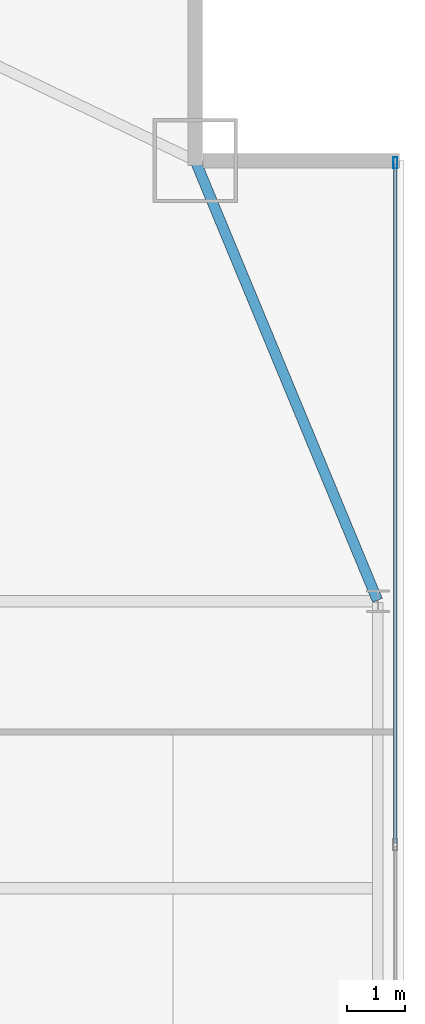
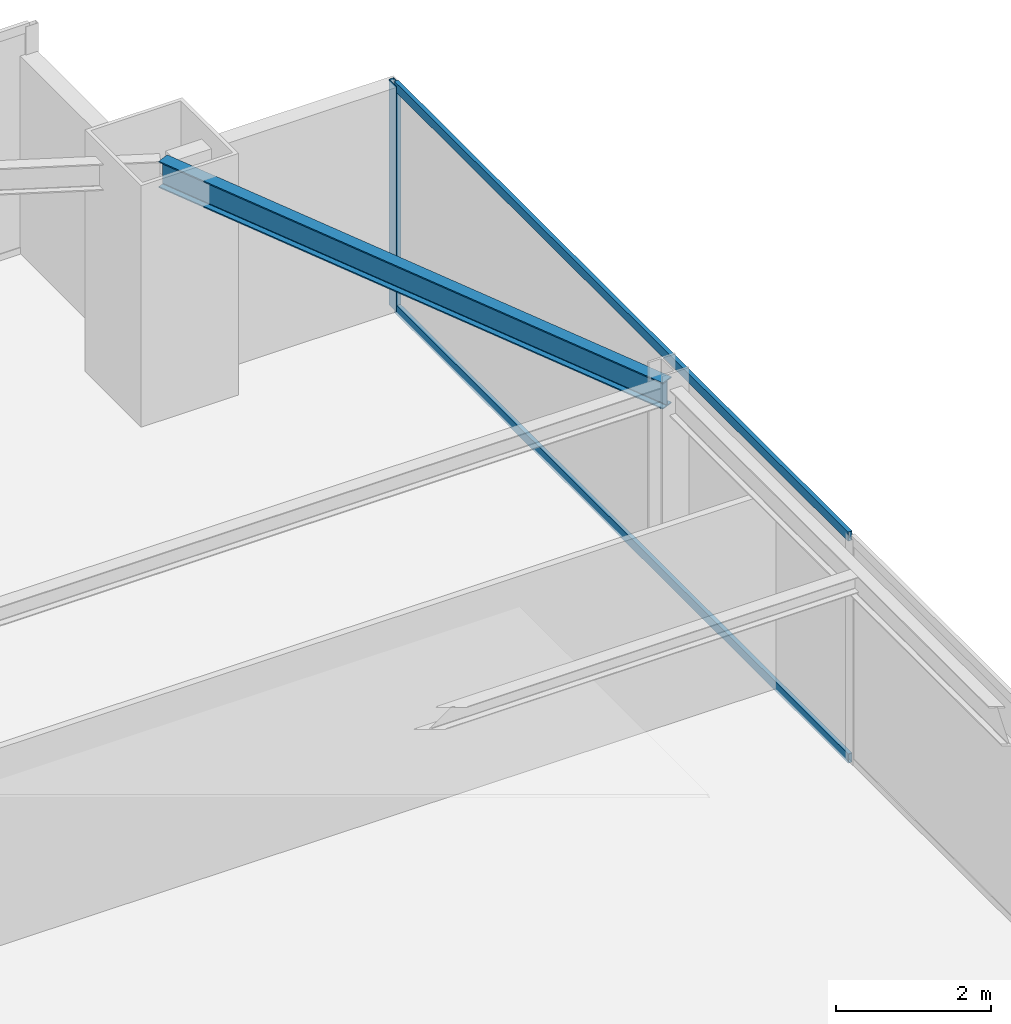
# One storey, part 24 of 30: 3 members, 1 beam, 1 element without a shape of its own.
"""IFC4 building model written with IfcOpenShell, lengths in metres."""

from ifc_helpers import new_model, si_unit, direction, frame, origin, origin_2d, place, context, subcontext, project, spatial, hollow_rectangle, i_section, extrude, source, transform, mapped, material, layer, layer_set, material_profile, profile_set, type_object, type_shapes, element, aggregate, save


model = new_model("IFC4")

# Units and contexts
model_context = context("Model", 3, precision=1e-05, world=origin(), true_north=direction((0.0, 1.0)))
body_context = subcontext(model_context, "Body", "Model", "MODEL_VIEW")
ifc_project = project(units=[si_unit("LENGTHUNIT", "METRE"), si_unit("AREAUNIT", "SQUARE_METRE"), si_unit("VOLUMEUNIT", "CUBIC_METRE"), si_unit("PLANEANGLEUNIT", "RADIAN"), si_unit("MASSUNIT", "GRAM", prefix="KILO")], contexts=[model_context])

# Site, building, storey
site_placement = place(None, origin())
site = spatial("IfcSite", under=ifc_project, at=site_placement, CompositionType="ELEMENT")
building_placement = place(site_placement, origin())
building = spatial("IfcBuilding", under=site, at=building_placement, Name="Varnel Quay Broadcast Tower", CompositionType="ELEMENT")
storey_placement = place(building_placement, frame((0.0, 0.0, 122.0)))
storey = spatial("IfcBuildingStorey", under=building, at=storey_placement, Name="L29", CompositionType="ELEMENT", Elevation=122.0)

# Beam
ifc_material_1 = material(Name="Structural Steel CSA G40.21 350W", Category="steel")
ifc_material_profile_1 = material_profile(ifc_material_1, i_section(OverallWidth=0.180908203125, OverallDepth=0.4169921875, WebThickness=0.010986328125, FlangeThickness=0.018310546875, FilletRadius=0.011962890625, at=origin_2d()), Name="W410X85")
ifc_profile_set_1 = profile_set([ifc_material_profile_1], Name="Structural Steel CSA G40.21 350W")
beam_type = type_object("IfcBeamType", Name="Beam_W410X85", PredefinedType="SPANDREL", material=ifc_profile_set_1)
shared_shape_1 = source(origin(), body_context, "Body", "SweptSolid", [
    extrude(i_section(OverallWidth=0.180908203125, OverallDepth=0.4169921875, WebThickness=0.010986328125, FlangeThickness=0.018310546875, FilletRadius=0.011962890625, at=origin_2d()), origin(), (0.0, 0.0, 1.0), 8.186767578125),
])
type_shapes(beam_type, [shared_shape_1])
beam_placement = place(storey_placement, frame((63.042236328125, 35.618408203125, 3.341552734375), z_axis=(-0.382874132092, 0.923800519038, 0.0), x_axis=(-0.923800519038, -0.382874132092, 0.0)))
element("IfcBeam", 1, at=beam_placement, inside=storey, type_object=beam_type, Name="L29 East Spandrel TC-E3-MC-NE", PredefinedType="SPANDREL", context=body_context, shape_type="MappedRepresentation", body=[
    mapped(shared_shape_1, transform((0.0, 0.0, 0.0), x_axis=(1.0, 0.0, 0.0), y_axis=(0.0, 1.0, 0.0), z_axis=(0.0, 0.0, 1.0), scale=1.0)),
])

# Curtain wall, members
ifc_material_2 = material(Name="Anodised Bronze Aluminium 6063-T6", Category="aluminium")
ifc_layer = layer(ifc_material_2, 0.18994140625, Name="Anodised Bronze Aluminium 6063-T6")
ifc_layer_set = layer_set([ifc_layer], Name="Anodised Bronze Aluminium 6063-T6")
curtain_wall_type = type_object("IfcCurtainWallType", Name="CW_LowerTower", PredefinedType="NOTDEFINED", material=ifc_layer_set)
curtain_wall_placement = place(storey_placement, origin())
curtain_wall = element("IfcCurtainWall", 2, at=curtain_wall_placement, inside=storey, type_object=curtain_wall_type, Name="L29 East Unitised Curtain Wall", PredefinedType="NOTDEFINED")
ifc_material_profile_2 = material_profile(ifc_material_2, hollow_rectangle(XDim=0.070068359375, YDim=0.18994140625, WallThickness=0.00390625, at=origin_2d()), Name="ALU70X190X4")
ifc_profile_set_2 = profile_set([ifc_material_profile_2], Name="Anodised Bronze Aluminium 6063-T6")
member_type_1 = type_object("IfcMemberType", Name="Mull_CWS-02", PredefinedType="MULLION", material=ifc_profile_set_2)
shared_shape_2 = source(origin(), body_context, "Body", "SweptSolid", [
    extrude(hollow_rectangle(XDim=0.070068359375, YDim=0.18994140625, WallThickness=0.00390625, at=origin_2d()), origin(), (0.0, 0.0, 1.0), 3.550048828125),
])
type_shapes(member_type_1, [shared_shape_2])
member_1_placement = place(storey_placement, frame((63.35009765625, 43.1650390625, 0.0), z_axis=(0.0, 0.0, 1.0), x_axis=(-1.0, 0.0, 0.0)))
member_1 = element("IfcMember", 3, at=member_1_placement, type_object=member_type_1, Name="CWS-02 mullion 4", PredefinedType="MULLION", context=body_context, shape_type="MappedRepresentation", body=[
    mapped(shared_shape_2, transform((0.0, 0.0, 0.0), x_axis=(1.0, 0.0, 0.0), y_axis=(0.0, 1.0, 0.0), z_axis=(0.0, 0.0, 1.0), scale=1.0)),
])
ifc_material_profile_3 = material_profile(ifc_material_2, hollow_rectangle(XDim=0.06005859375, YDim=0.14501953125, WallThickness=0.00341796875, at=origin_2d()), Name="ALU60X145X3.5")
ifc_profile_set_3 = profile_set([ifc_material_profile_3], Name="Anodised Bronze Aluminium 6063-T6")
member_type_2 = type_object("IfcMemberType", Name="Tran_CWS-02", PredefinedType="USERDEFINED", material=ifc_profile_set_3)
shared_shape_3 = source(origin(), body_context, "Body", "SweptSolid", [
    extrude(hollow_rectangle(XDim=0.06005859375, YDim=0.14501953125, WallThickness=0.00341796875, at=origin_2d()), origin(), (0.0, 0.0, 1.0), 11.69482421875),
])
type_shapes(member_type_2, [shared_shape_3])
member_2_placement = place(storey_placement, frame((63.35009765625, 31.43505859375, 0.030029296875), z_axis=(0.0, 1.0, 0.0), x_axis=(-1.0, 0.0, 0.0)))
member_2 = element("IfcMember", 4, at=member_2_placement, type_object=member_type_2, Name="CWS-02 transom 3.1", ObjectType="TRANSOM", PredefinedType="USERDEFINED", context=body_context, shape_type="MappedRepresentation", body=[
    mapped(shared_shape_3, transform((0.0, 0.0, 0.0), x_axis=(1.0, 0.0, 0.0), y_axis=(0.0, 1.0, 0.0), z_axis=(0.0, 0.0, 1.0), scale=1.0)),
])
member_3_placement = place(storey_placement, frame((63.35009765625, 31.43505859375, 3.52001953125), z_axis=(0.0, 1.0, 0.0), x_axis=(-1.0, 0.0, 0.0)))
member_3 = element("IfcMember", 5, at=member_3_placement, type_object=member_type_2, Name="CWS-02 transom 3.2", ObjectType="TRANSOM", PredefinedType="USERDEFINED", context=body_context, shape_type="MappedRepresentation", body=[
    mapped(shared_shape_3, transform((0.0, 0.0, 0.0), x_axis=(1.0, 0.0, 0.0), y_axis=(0.0, 1.0, 0.0), z_axis=(0.0, 0.0, 1.0), scale=1.0)),
])
aggregate(curtain_wall, [member_1, member_2, member_3])

save(model, "model.ifc")
